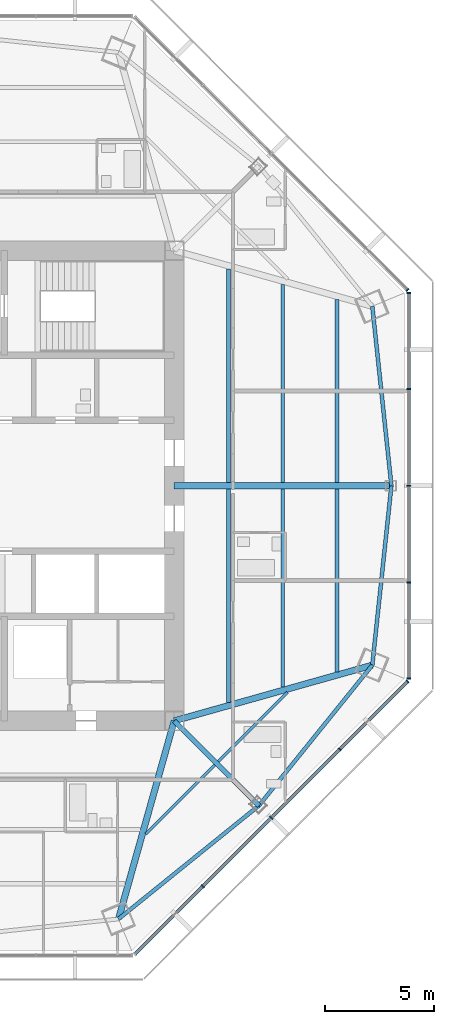
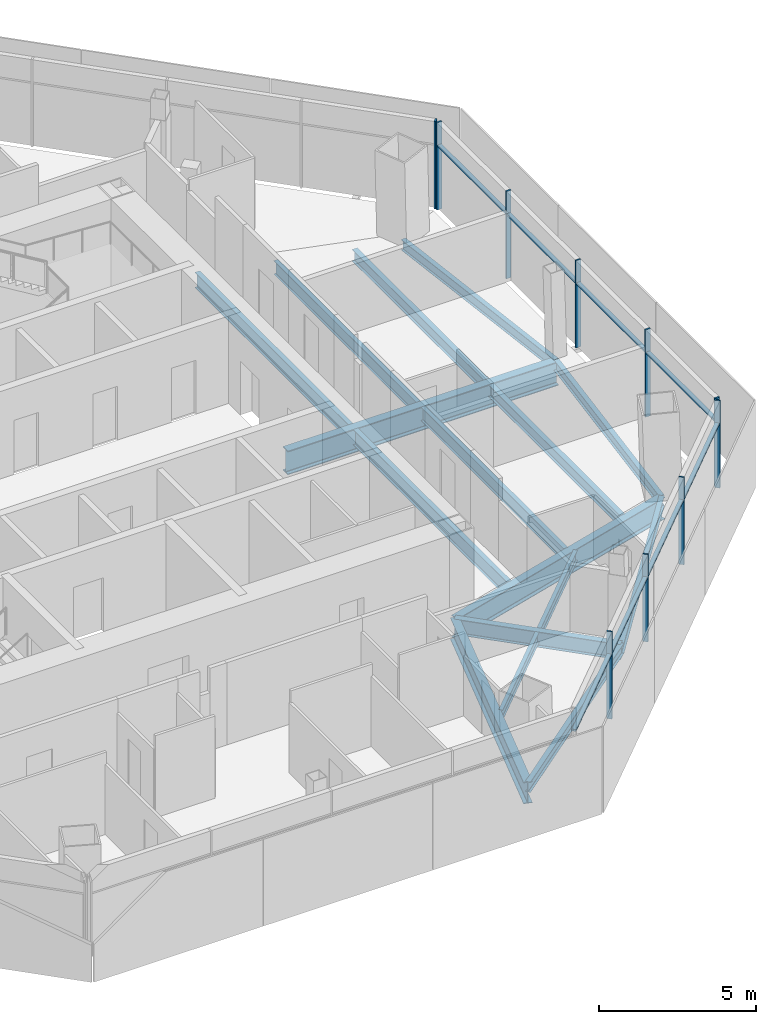
# One storey, part 4 of 15: 18 members, 16 beams, 3 elements without a shape of their own.
"""IFC4 building model written with IfcOpenShell, lengths in metres."""

from ifc_helpers import new_model, si_unit, direction, frame, origin, origin_2d, place, context, subcontext, project, spatial, rectangle, i_section, extrude, source, transform, mapped, material, material_profile, profile_set, type_object, type_shapes, element, aggregate, save


model = new_model("IFC4")

# Units and contexts
model_context = context("Model", 3, precision=1e-05, world=origin(), true_north=direction((0.0, 1.0)))
body_context = subcontext(model_context, "Body", "Model", "MODEL_VIEW")
ifc_project = project(units=[si_unit("LENGTHUNIT", "METRE"), si_unit("AREAUNIT", "SQUARE_METRE"), si_unit("VOLUMEUNIT", "CUBIC_METRE"), si_unit("PLANEANGLEUNIT", "RADIAN"), si_unit("MASSUNIT", "GRAM", prefix="KILO")], contexts=[model_context])

# Site, building, storey
site_placement = place(None, origin())
site = spatial("IfcSite", under=ifc_project, at=site_placement, CompositionType="ELEMENT")
building_placement = place(site_placement, origin())
building = spatial("IfcBuilding", under=site, at=building_placement, Name="Mashrafa Tower", CompositionType="ELEMENT")
storey_placement = place(building_placement, frame((0.0, 0.0, 227.800048828125)))
storey = spatial("IfcBuildingStorey", under=building, at=storey_placement, Name="L53", CompositionType="ELEMENT", Elevation=227.800048828125)

# Beams
ifc_material_1 = material(Name="Steel ASTM A992", Category="steel")
ifc_material_profile_1 = material_profile(ifc_material_1, i_section(OverallWidth=0.140380859375, OverallDepth=0.40380859375, WebThickness=0.007080078125, FlangeThickness=0.01123046875, FilletRadius=0.01025390625, at=origin_2d()), Name="W16X31")
ifc_profile_set_1 = profile_set([ifc_material_profile_1], Name="Steel ASTM A992")
beam_type_1 = type_object("IfcBeamType", Name="Beam W16X31", PredefinedType="BEAM", material=ifc_profile_set_1)
for number, where, z_axis, x_axis, name in (
    (1, (12.664794921875, -12.826171875, -0.402099609375), (-0.707106781187, -0.707106781187, 0.0), (0.707106781187, -0.707106781187, 0.0), "Floor beam L53 024"),
    (2, (16.001708984375, -9.4892578125, -0.402099609375), (-0.707106781187, -0.707106781187, 0.0), (0.707106781187, -0.707106781187, 0.0), "Floor beam L53 030"),
):
    element("IfcBeam", number, at=place(storey_placement, frame(where, z_axis=z_axis, x_axis=x_axis)), inside=storey, type_object=beam_type_1, Name=name, PredefinedType="BEAM", context=body_context, shape_type="SweptSolid", body=[
        extrude(i_section(OverallWidth=0.140380859375, OverallDepth=0.40380859375, WebThickness=0.007080078125, FlangeThickness=0.01123046875, FilletRadius=0.01025390625, at=origin_2d()), origin(), (0.0, 0.0, 1.0), 4.490966796875),
    ])
ifc_material_2 = material(Name="Steel ASTM A992", Category="steel")
ifc_material_profile_2 = material_profile(ifc_material_2, i_section(OverallWidth=0.177734375, OverallDepth=0.406494140625, WebThickness=0.0078125, FlangeThickness=0.012939453125, FilletRadius=0.01025390625, at=origin_2d()), Name="W16X40")
ifc_profile_set_2 = profile_set([ifc_material_profile_2], Name="Steel ASTM A992")
beam_type_2 = type_object("IfcBeamType", Name="Beam W16X40", PredefinedType="BEAM", material=ifc_profile_set_2)
for number, where, z_axis, x_axis, name in (
    (3, (8.241943359375, -19.89794921875, -0.4033203125), (0.778044722398, 0.628208890377, 0.0), (-0.628208890377, 0.778044722398, 0.0), "Spandrel beam L53 058"),
    (4, (14.69091796875, -14.69091796875, -0.4033203125), (0.628208890377, 0.778044722398, 0.0), (-0.778044722398, 0.628208890377, 0.0), "Spandrel beam L53 060"),
    (5, (19.89794921875, -8.241943359375, -0.4033203125), (0.105949651056, 0.99437149569, 0.0), (-0.99437149569, 0.105949651056, 0.0), "Spandrel beam L53 062"),
    (6, (20.776123046875, 0.0, -0.4033203125), (-0.105949651056, 0.99437149569, 0.0), (-0.99437149569, -0.105949651056, 0.0), "Spandrel beam L53 064"),
):
    element("IfcBeam", number, at=place(storey_placement, frame(where, z_axis=z_axis, x_axis=x_axis)), inside=storey, type_object=beam_type_2, Name=name, PredefinedType="BEAM", context=body_context, shape_type="SweptSolid", body=[
        extrude(i_section(OverallWidth=0.177734375, OverallDepth=0.406494140625, WebThickness=0.0078125, FlangeThickness=0.012939453125, FilletRadius=0.01025390625, at=origin_2d()), origin(), (0.0, 0.0, 1.0), 8.28857421875),
    ])
ifc_material_3 = material(Name="Steel ASTM A992", Category="steel")
ifc_material_profile_3 = material_profile(ifc_material_3, i_section(OverallWidth=0.191162109375, OverallDepth=0.459716796875, WebThickness=0.010009765625, FlangeThickness=0.01611328125, FilletRadius=0.01025390625, at=origin_2d()), Name="W18X55")
ifc_profile_set_3 = profile_set([ifc_material_profile_3], Name="Steel ASTM A992")
beam_type_3 = type_object("IfcBeamType", Name="Beam W18X55", PredefinedType="BEAM", material=ifc_profile_set_3)
for number, where, z_axis, x_axis, name in (
    (7, (18.2822265625, -0.15380859375, -0.429931640625), (0.0, -1.0, 0.0), (1.0, 0.0, 0.0), "Floor beam L53 031"),
    (8, (18.2822265625, 8.544677734375, -0.429931640625), (0.0, -1.0, 0.0), (1.0, 0.0, 0.0), "Floor beam L53 032"),
):
    element("IfcBeam", number, at=place(storey_placement, frame(where, z_axis=z_axis, x_axis=x_axis)), inside=storey, type_object=beam_type_3, Name=name, PredefinedType="BEAM", context=body_context, shape_type="SweptSolid", body=[
        extrude(i_section(OverallWidth=0.191162109375, OverallDepth=0.459716796875, WebThickness=0.010009765625, FlangeThickness=0.01611328125, FilletRadius=0.01025390625, at=origin_2d()), origin(), (0.0, 0.0, 1.0), 8.390869140625),
    ])
ifc_material_4 = material(Name="Steel ASTM A992", Category="steel")
ifc_material_profile_4 = material_profile(ifc_material_4, i_section(OverallWidth=0.1650390625, OverallDepth=0.52587890625, WebThickness=0.0087890625, FlangeThickness=0.011474609375, FilletRadius=0.0126953125, at=origin_2d()), Name="W21X44")
ifc_profile_set_4 = profile_set([ifc_material_profile_4], Name="Steel ASTM A992")
beam_type_4 = type_object("IfcBeamType", Name="Beam W21X44", PredefinedType="BEAM", material=ifc_profile_set_4)
for number, where, z_axis, x_axis, name in (
    (9, (15.7880859375, -0.15380859375, -0.462890625), (0.0, -1.0, 0.0), (1.0, 0.0, 0.0), "Floor beam L53 028"),
    (10, (15.7880859375, 9.245849609375, -0.462890625), (0.0, -1.0, 0.0), (1.0, 0.0, 0.0), "Floor beam L53 029"),
):
    element("IfcBeam", number, at=place(storey_placement, frame(where, z_axis=z_axis, x_axis=x_axis)), inside=storey, type_object=beam_type_4, Name=name, PredefinedType="BEAM", context=body_context, shape_type="SweptSolid", body=[
        extrude(i_section(OverallWidth=0.1650390625, OverallDepth=0.52587890625, WebThickness=0.0087890625, FlangeThickness=0.011474609375, FilletRadius=0.0126953125, at=origin_2d()), origin(), (0.0, 0.0, 1.0), 9.092041015625),
    ])
ifc_material_5 = material(Name="Steel ASTM A992", Category="steel")
ifc_material_profile_5 = material_profile(ifc_material_5, i_section(OverallWidth=0.177978515625, OverallDepth=0.599365234375, WebThickness=0.010009765625, FlangeThickness=0.012939453125, FilletRadius=0.012939453125, at=origin_2d()), Name="W24X55")
ifc_profile_set_5 = profile_set([ifc_material_profile_5], Name="Steel ASTM A992")
beam_type_5 = type_object("IfcBeamType", Name="Beam W24X55", PredefinedType="BEAM", material=ifc_profile_set_5)
for number, where, z_axis, x_axis, name in (
    (11, (13.294189453125, -0.15380859375, -0.499755859375), (0.0, -1.0, 0.0), (1.0, 0.0, 0.0), "Floor beam L53 026"),
    (12, (13.294189453125, 9.947021484375, -0.499755859375), (0.0, -1.0, 0.0), (1.0, 0.0, 0.0), "Floor beam L53 027"),
):
    element("IfcBeam", number, at=place(storey_placement, frame(where, z_axis=z_axis, x_axis=x_axis)), inside=storey, type_object=beam_type_5, Name=name, PredefinedType="BEAM", context=body_context, shape_type="SweptSolid", body=[
        extrude(i_section(OverallWidth=0.177978515625, OverallDepth=0.599365234375, WebThickness=0.010009765625, FlangeThickness=0.012939453125, FilletRadius=0.012939453125, at=origin_2d()), origin(), (0.0, 0.0, 1.0), 9.793212890625),
    ])
ifc_material_6 = material(Name="Steel ASTM A992", Category="steel")
ifc_material_profile_6 = material_profile(ifc_material_6, i_section(OverallWidth=0.228271484375, OverallDepth=0.607177734375, WebThickness=0.01123046875, FlangeThickness=0.017333984375, FilletRadius=0.0126953125, at=origin_2d()), Name="W24X76")
ifc_profile_set_6 = profile_set([ifc_material_profile_6], Name="Steel ASTM A992")
beam_type_6 = type_object("IfcBeamType", Name="Beam W24X76", PredefinedType="BEAM", material=ifc_profile_set_6)
beam_1_placement = place(storey_placement, frame((10.800048828125, -10.800048828125, -0.503662109375), z_axis=(0.707106781187, -0.707106781187, 0.0), x_axis=(0.707106781187, 0.707106781187, 0.0)))
element("IfcBeam", 13, at=beam_1_placement, inside=storey, type_object=beam_type_6, Name="Radial girder L53 043", PredefinedType="BEAM", context=body_context, shape_type="SweptSolid", body=[
    extrude(i_section(OverallWidth=0.228271484375, OverallDepth=0.607177734375, WebThickness=0.01123046875, FlangeThickness=0.017333984375, FilletRadius=0.0126953125, at=origin_2d()), origin(), (0.0, 0.0, 1.0), 5.50244140625),
])
ifc_material_7 = material(Name="Steel ASTM A992", Category="steel")
ifc_material_profile_7 = material_profile(ifc_material_7, i_section(OverallWidth=0.2919921875, OverallDepth=0.845703125, WebThickness=0.015380859375, FlangeThickness=0.0244140625, FilletRadius=0.017333984375, at=origin_2d()), Name="W33X141")
ifc_profile_set_7 = profile_set([ifc_material_profile_7], Name="Steel ASTM A992")
beam_type_7 = type_object("IfcBeamType", Name="Beam W33X141", PredefinedType="BEAM", material=ifc_profile_set_7)
for number, where, z_axis, x_axis, name in (
    (14, (10.800048828125, -10.800048828125, -0.623046875), (-0.270678994726, -0.962669663911, 0.0), (0.962669663911, -0.270678994726, 0.0), "Radial girder L53 042"),
    (15, (10.800048828125, -10.800048828125, -0.623046875), (0.962669663911, 0.270678994726, 0.0), (-0.270678994726, 0.962669663911, 0.0), "Radial girder L53 044"),
):
    element("IfcBeam", number, at=place(storey_placement, frame(where, z_axis=z_axis, x_axis=x_axis)), inside=storey, type_object=beam_type_7, Name=name, PredefinedType="BEAM", context=body_context, shape_type="SweptSolid", body=[
        extrude(i_section(OverallWidth=0.2919921875, OverallDepth=0.845703125, WebThickness=0.015380859375, FlangeThickness=0.0244140625, FilletRadius=0.017333984375, at=origin_2d()), origin(), (0.0, 0.0, 1.0), 9.45068359375),
    ])
ifc_material_8 = material(Name="Steel ASTM A992", Category="steel")
ifc_material_profile_8 = material_profile(ifc_material_8, i_section(OverallWidth=0.307373046875, OverallDepth=0.927001953125, WebThickness=0.01953125, FlangeThickness=0.031982421875, FilletRadius=0.01904296875, at=origin_2d()), Name="W36X194")
ifc_profile_set_8 = profile_set([ifc_material_profile_8], Name="Steel ASTM A992")
beam_type_8 = type_object("IfcBeamType", Name="Beam W36X194", PredefinedType="BEAM", material=ifc_profile_set_8)
beam_2_placement = place(storey_placement, frame((10.800048828125, 0.0, -0.66357421875), z_axis=(1.0, 0.0, 0.0), x_axis=(0.0, 1.0, 0.0)))
element("IfcBeam", 16, at=beam_2_placement, inside=storey, type_object=beam_type_8, Name="Radial girder L53 045", PredefinedType="BEAM", context=body_context, shape_type="SweptSolid", body=[
    extrude(i_section(OverallWidth=0.307373046875, OverallDepth=0.927001953125, WebThickness=0.01953125, FlangeThickness=0.031982421875, FilletRadius=0.01904296875, at=origin_2d()), origin(), (0.0, 0.0, 1.0), 9.97607421875),
])

# Curtain wall, members
ifc_material_9 = material(Name="Unitised aluminium curtain wall", Category="aluminium")
curtain_wall_type = type_object("IfcCurtainWallType", Name="Apartment curtain wall, zone 3 CW-C 180 deep", PredefinedType="NOTDEFINED", material=ifc_material_9)
curtain_wall_1_placement = place(storey_placement, origin())
curtain_wall_1 = element("IfcCurtainWall", 17, at=curtain_wall_1_placement, inside=storey, type_object=curtain_wall_type, Name="Apartment curtain wall, zone 3 L53 east", PredefinedType="NOTDEFINED")
ifc_material_10 = material(Name="Extruded aluminium mullion", Category="aluminium")
ifc_material_profile_9 = material_profile(ifc_material_10, rectangle(XDim=0.179931640625, YDim=0.06005859375, at=origin_2d()), Name="Mullion 60x180")
ifc_profile_set_9 = profile_set([ifc_material_profile_9], Name="Extruded aluminium mullion")
member_type_1 = type_object("IfcMemberType", Name="Mullion CW-C 60 x 180", PredefinedType="MULLION", material=ifc_profile_set_9)
shared_shape_1 = source(origin(), body_context, "Body", "SweptSolid", [
    extrude(rectangle(XDim=0.179931640625, YDim=0.06005859375, at=origin_2d()), origin(), (0.0, 0.0, 1.0), 3.39990234375),
])
type_shapes(member_type_1, [shared_shape_1])
member_1_placement = place(storey_placement, frame((21.570556640625, -8.857666015625, 0.0), z_axis=(0.0, 0.0, 1.0), x_axis=(-1.0, 0.0, 0.0)))
member_1 = element("IfcMember", 18, at=member_1_placement, type_object=member_type_1, Name="CW-C mullion 1", PredefinedType="MULLION", context=body_context, shape_type="MappedRepresentation", body=[
    mapped(shared_shape_1, transform((0.0, 0.0, 0.0))),
])
member_2_placement = place(storey_placement, frame((21.570556640625, -4.44384765625, 0.0), z_axis=(0.0, 0.0, 1.0), x_axis=(-1.0, 0.0, 0.0)))
member_2 = element("IfcMember", 19, at=member_2_placement, type_object=member_type_1, Name="CW-C mullion 2", PredefinedType="MULLION", context=body_context, shape_type="MappedRepresentation", body=[
    mapped(shared_shape_1, transform((0.0, 0.0, 0.0))),
])
member_3_placement = place(storey_placement, frame((21.570556640625, 0.0, 0.0), z_axis=(0.0, 0.0, 1.0), x_axis=(-1.0, 0.0, 0.0)))
member_3 = element("IfcMember", 20, at=member_3_placement, type_object=member_type_1, Name="CW-C mullion 3", PredefinedType="MULLION", context=body_context, shape_type="MappedRepresentation", body=[
    mapped(shared_shape_1, transform((0.0, 0.0, 0.0))),
])
member_4_placement = place(storey_placement, frame((21.570556640625, 4.44384765625, 0.0), z_axis=(0.0, 0.0, 1.0), x_axis=(-1.0, 0.0, 0.0)))
member_4 = element("IfcMember", 21, at=member_4_placement, type_object=member_type_1, Name="CW-C mullion 4", PredefinedType="MULLION", context=body_context, shape_type="MappedRepresentation", body=[
    mapped(shared_shape_1, transform((0.0, 0.0, 0.0))),
])
member_5_placement = place(storey_placement, frame((21.570556640625, 8.857666015625, 0.0), z_axis=(0.0, 0.0, 1.0), x_axis=(-1.0, 0.0, 0.0)))
member_5 = element("IfcMember", 22, at=member_5_placement, type_object=member_type_1, Name="CW-C mullion 5", PredefinedType="MULLION", context=body_context, shape_type="MappedRepresentation", body=[
    mapped(shared_shape_1, transform((0.0, 0.0, 0.0))),
])

# Curtain wall, member
curtain_wall_2_placement = place(storey_placement, origin())
curtain_wall_2 = element("IfcCurtainWall", 23, at=curtain_wall_2_placement, inside=storey, type_object=curtain_wall_type, Name="Apartment curtain wall, zone 3 L53 north-east", PredefinedType="NOTDEFINED")
member_6_placement = place(storey_placement, frame((21.515869140625, 8.989501953125, 0.0), z_axis=(0.0, 0.0, 1.0), x_axis=(-0.707106781187, -0.707106781187, 0.0)))
member_6 = element("IfcMember", 24, at=member_6_placement, type_object=member_type_1, Name="CW-C mullion 1", PredefinedType="MULLION", context=body_context, shape_type="MappedRepresentation", body=[
    mapped(shared_shape_1, transform((0.0, 0.0, 0.0))),
])
aggregate(curtain_wall_2, [member_6])

# Curtain wall, members
curtain_wall_3_placement = place(storey_placement, origin())
curtain_wall_3 = element("IfcCurtainWall", 25, at=curtain_wall_3_placement, inside=storey, type_object=curtain_wall_type, Name="Apartment curtain wall, zone 3 L53 south-east", PredefinedType="NOTDEFINED")
member_7_placement = place(storey_placement, frame((12.110595703125, -18.39501953125, 0.0), z_axis=(0.0, 0.0, 1.0), x_axis=(-0.707106781187, 0.707106781187, 0.0)))
member_7 = element("IfcMember", 26, at=member_7_placement, type_object=member_type_1, Name="CW-C mullion 2", PredefinedType="MULLION", context=body_context, shape_type="MappedRepresentation", body=[
    mapped(shared_shape_1, transform((0.0, 0.0, 0.0))),
])
member_8_placement = place(storey_placement, frame((15.252685546875, -15.252685546875, 0.0), z_axis=(0.0, 0.0, 1.0), x_axis=(-0.707106781187, 0.707106781187, 0.0)))
member_8 = element("IfcMember", 27, at=member_8_placement, type_object=member_type_1, Name="CW-C mullion 3", PredefinedType="MULLION", context=body_context, shape_type="MappedRepresentation", body=[
    mapped(shared_shape_1, transform((0.0, 0.0, 0.0))),
])
member_9_placement = place(storey_placement, frame((18.39501953125, -12.110595703125, 0.0), z_axis=(0.0, 0.0, 1.0), x_axis=(-0.707106781187, 0.707106781187, 0.0)))
member_9 = element("IfcMember", 28, at=member_9_placement, type_object=member_type_1, Name="CW-C mullion 4", PredefinedType="MULLION", context=body_context, shape_type="MappedRepresentation", body=[
    mapped(shared_shape_1, transform((0.0, 0.0, 0.0))),
])
member_10_placement = place(storey_placement, frame((21.515869140625, -8.989501953125, 0.0), z_axis=(0.0, 0.0, 1.0), x_axis=(-0.707106781187, 0.707106781187, 0.0)))
member_10 = element("IfcMember", 29, at=member_10_placement, type_object=member_type_1, Name="CW-C mullion 5", PredefinedType="MULLION", context=body_context, shape_type="MappedRepresentation", body=[
    mapped(shared_shape_1, transform((0.0, 0.0, 0.0))),
])

# Member
ifc_material_11 = material(Name="Extruded aluminium transom", Category="aluminium")
ifc_material_profile_10 = material_profile(ifc_material_11, rectangle(XDim=0.14404296875, YDim=0.074951171875, at=origin_2d()), Name="Transom 75x144")
ifc_profile_set_10 = profile_set([ifc_material_profile_10], Name="Extruded aluminium transom")
member_type_2 = type_object("IfcMemberType", Name="Transom CW-C 75 x 144", PredefinedType="MULLION", material=ifc_profile_set_10)
shared_shape_2 = source(origin(), body_context, "Body", "SweptSolid", [
    extrude(rectangle(XDim=0.14404296875, YDim=0.074951171875, at=origin_2d()), origin(), (0.0, 0.0, 1.0), 4.353759765625),
])
member_11_placement = place(storey_placement, frame((21.570556640625, -8.82763671875, 2.5), z_axis=(0.0, 1.0, 0.0), x_axis=(-1.0, 0.0, 0.0)))
member_11 = element("IfcMember", 30, at=member_11_placement, type_object=member_type_2, Name="CW-C transom 1", PredefinedType="MULLION", context=body_context, shape_type="MappedRepresentation", body=[
    mapped(shared_shape_2, transform((0.0, 0.0, 0.0))),
])

member_12_placement = place(storey_placement, frame((21.570556640625, 4.473876953125, 2.5), z_axis=(0.0, 1.0, 0.0), x_axis=(-1.0, 0.0, 0.0)))
member_12 = element("IfcMember", 31, at=member_12_placement, type_object=member_type_2, Name="CW-C transom 4", PredefinedType="MULLION", context=body_context, shape_type="MappedRepresentation", body=[
    mapped(shared_shape_2, transform((0.0, 0.0, 0.0))),
])

member_13_placement = place(storey_placement, frame((9.0107421875, -21.49462890625, 2.5), z_axis=(0.707134819283, 0.707078741978, 0.0), x_axis=(-0.707078741978, 0.707134819283, 0.0)))
member_13 = element("IfcMember", 32, at=member_13_placement, type_object=member_type_2, Name="CW-C transom 1", PredefinedType="MULLION", context=body_context, shape_type="MappedRepresentation", body=[
    mapped(shared_shape_2, transform((0.0, 0.0, 0.0))),
])

member_14_placement = place(storey_placement, frame((18.416259765625, -12.08935546875, 2.5), z_axis=(0.707078741978, 0.707134819283, 0.0), x_axis=(-0.707134819283, 0.707078741978, 0.0)))
member_14 = element("IfcMember", 33, at=member_14_placement, type_object=member_type_2, Name="CW-C transom 4", PredefinedType="MULLION", context=body_context, shape_type="MappedRepresentation", body=[
    mapped(shared_shape_2, transform((0.0, 0.0, 0.0))),
])

shared_shape_3 = source(origin(), body_context, "Body", "SweptSolid", [
    extrude(rectangle(XDim=0.14404296875, YDim=0.074951171875, at=origin_2d()), origin(), (0.0, 0.0, 1.0), 4.3837890625),
])
type_shapes(member_type_2, [shared_shape_2, shared_shape_3])
member_15_placement = place(storey_placement, frame((21.570556640625, -4.413818359375, 2.5), z_axis=(0.0, 1.0, 0.0), x_axis=(-1.0, 0.0, 0.0)))
member_15 = element("IfcMember", 34, at=member_15_placement, type_object=member_type_2, Name="CW-C transom 2", PredefinedType="MULLION", context=body_context, shape_type="MappedRepresentation", body=[
    mapped(shared_shape_3, transform((0.0, 0.0, 0.0))),
])

member_16_placement = place(storey_placement, frame((21.570556640625, 0.030029296875, 2.5), z_axis=(0.0, 1.0, 0.0), x_axis=(-1.0, 0.0, 0.0)))
member_16 = element("IfcMember", 35, at=member_16_placement, type_object=member_type_2, Name="CW-C transom 3", PredefinedType="MULLION", context=body_context, shape_type="MappedRepresentation", body=[
    mapped(shared_shape_3, transform((0.0, 0.0, 0.0))),
])

aggregate(curtain_wall_1, [member_1, member_2, member_3, member_4, member_5, member_11, member_15, member_16, member_12])

member_17_placement = place(storey_placement, frame((12.131591796875, -18.373779296875, 2.5), z_axis=(0.707106781187, 0.707106781187, 0.0), x_axis=(-0.707106781187, 0.707106781187, 0.0)))
member_17 = element("IfcMember", 36, at=member_17_placement, type_object=member_type_2, Name="CW-C transom 2", PredefinedType="MULLION", context=body_context, shape_type="MappedRepresentation", body=[
    mapped(shared_shape_3, transform((0.0, 0.0, 0.0))),
])

member_18_placement = place(storey_placement, frame((15.27392578125, -15.2314453125, 2.5), z_axis=(0.707106781187, 0.707106781187, 0.0), x_axis=(-0.707106781187, 0.707106781187, 0.0)))
member_18 = element("IfcMember", 37, at=member_18_placement, type_object=member_type_2, Name="CW-C transom 3", PredefinedType="MULLION", context=body_context, shape_type="MappedRepresentation", body=[
    mapped(shared_shape_3, transform((0.0, 0.0, 0.0))),
])

aggregate(curtain_wall_3, [member_7, member_8, member_9, member_10, member_13, member_17, member_18, member_14])

save(model, "model.ifc")
